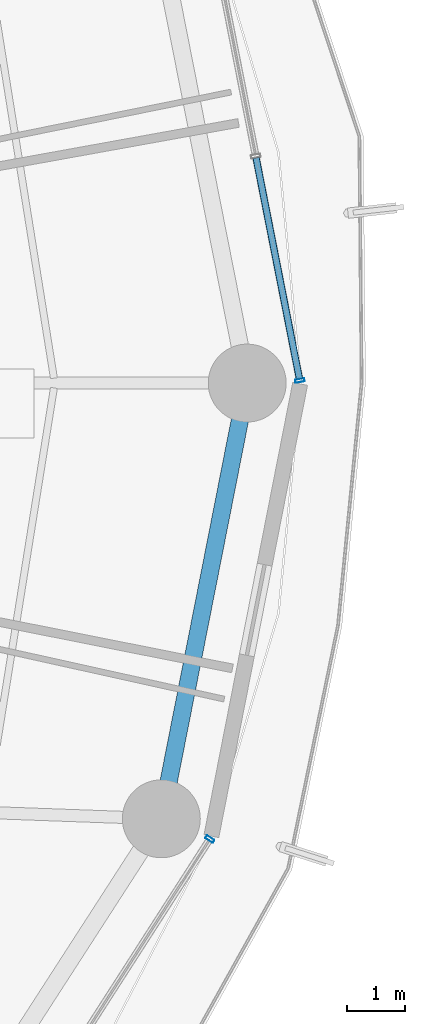
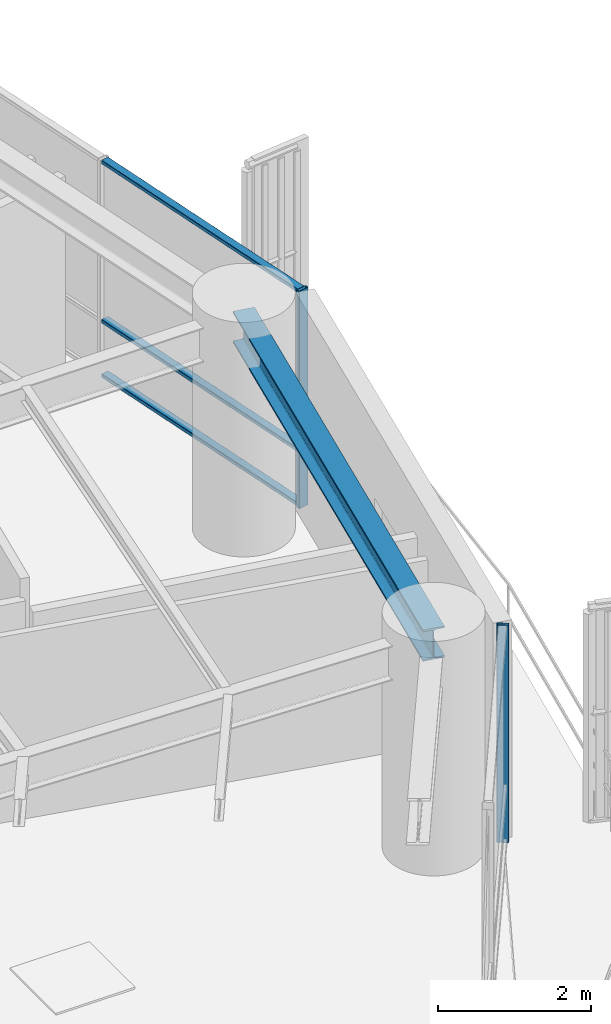
# One storey, part 16 of 35: 5 members, 1 beam, 2 elements without a shape of their own.
"""IFC4 building model written with IfcOpenShell, lengths in metres."""

from ifc_helpers import new_model, si_unit, direction, frame, origin, origin_2d, place, context, subcontext, project, spatial, hollow_rectangle, i_section, extrude, material, layer, layer_set, material_profile, profile_set, type_object, element, aggregate, save


model = new_model("IFC4")

# Units and contexts
model_context = context("Model", 3, precision=1e-05, world=origin(), true_north=direction((0.0, 1.0)))
body_context = subcontext(model_context, "Body", "Model", "MODEL_VIEW")
ifc_project = project(units=[si_unit("LENGTHUNIT", "METRE"), si_unit("AREAUNIT", "SQUARE_METRE"), si_unit("VOLUMEUNIT", "CUBIC_METRE"), si_unit("PLANEANGLEUNIT", "RADIAN"), si_unit("MASSUNIT", "GRAM", prefix="KILO")], contexts=[model_context])

# Site, building, storey
site_placement = place(None, origin())
site = spatial("IfcSite", under=ifc_project, at=site_placement, CompositionType="ELEMENT")
building_placement = place(site_placement, origin())
building = spatial("IfcBuilding", under=site, at=building_placement, Name="Kelanora Arch Commons", CompositionType="ELEMENT")
storey_placement = place(building_placement, frame((0.0, 0.0, 121.35009765625)))
storey = spatial("IfcBuildingStorey", under=building, at=storey_placement, Name="L31", CompositionType="ELEMENT", Elevation=121.35009765625)

# Beam
ifc_material_1 = material(Name="Steel S355", Category="steel")
ifc_material_profile_1 = material_profile(ifc_material_1, i_section(OverallWidth=0.300048828125, OverallDepth=0.5, WebThickness=0.014404296875, FlangeThickness=0.028076171875, FilletRadius=0.027099609375, at=origin_2d()), Name="HEB500")
ifc_profile_set_1 = profile_set([ifc_material_profile_1], Name="Steel S355")
beam_type = type_object("IfcBeamType", Name="BM-SPN-Z2", PredefinedType="SPANDREL", material=ifc_profile_set_1)
beam_placement = place(storey_placement, frame((97.191650390625, 50.4482421875, 3.239990234375), z_axis=(0.19335825777, 0.981128220037, 0.0), x_axis=(-0.981128220037, 0.19335825777, 0.0)))
element("IfcBeam", 1, at=beam_placement, inside=storey, type_object=beam_type, Name="Perimeter Spandrel Beam BS-34 L31", PredefinedType="SPANDREL", context=body_context, shape_type="SweptSolid", body=[
    extrude(i_section(OverallWidth=0.300048828125, OverallDepth=0.5, WebThickness=0.014404296875, FlangeThickness=0.028076171875, FilletRadius=0.027099609375, at=origin_2d()), origin(), (0.0, 0.0, 1.0), 7.697021484375),
])

# Curtain wall, member
ifc_material_2 = material(Name="Terracotta ceramic-fritted low-E glass and aluminium", Category="masonry")
ifc_layer = layer(ifc_material_2, 0.159912109375)
ifc_layer_set = layer_set([ifc_layer], Name="Terracotta ceramic-fritted low-E glass and aluminium")
curtain_wall_type = type_object("IfcCurtainWallType", Name="CW-SYS-01", PredefinedType="NOTDEFINED", material=ifc_layer_set)
curtain_wall_1_placement = place(storey_placement, origin())
curtain_wall_1 = element("IfcCurtainWall", 2, at=curtain_wall_1_placement, inside=storey, type_object=curtain_wall_type, Name="Unitised Curtain Wall L31-B00", PredefinedType="NOTDEFINED")
ifc_material_3 = material(Name="Powder-coated aluminium terracotta", Category="masonry")
ifc_material_profile_2 = material_profile(ifc_material_3, hollow_rectangle(XDim=0.159912109375, YDim=0.06005859375, WallThickness=0.0048828125, InnerFilletRadius=0.0048828125, OuterFilletRadius=0.010009765625, at=origin_2d()), Name="CWM160x60")
ifc_profile_set_2 = profile_set([ifc_material_profile_2], Name="Powder-coated aluminium terracotta")
member_type_1 = type_object("IfcMemberType", Name="CWM-STD", PredefinedType="MULLION", material=ifc_profile_set_2)
member_1_placement = place(storey_placement, frame((99.59130859375, 58.044189453125, 0.0), z_axis=(0.0, 0.0, 1.0), x_axis=(-0.981280311646, -0.192584916272, 0.0)))
member_1 = element("IfcMember", 3, at=member_1_placement, type_object=member_type_1, Name="CW-01 mullion 1", PredefinedType="MULLION", context=body_context, shape_type="SweptSolid", body=[
    extrude(hollow_rectangle(XDim=0.159912109375, YDim=0.06005859375, WallThickness=0.0048828125, InnerFilletRadius=0.0048828125, OuterFilletRadius=0.010009765625, at=origin_2d()), origin(), (0.0, 0.0, 1.0), 3.474853515625),
])

curtain_wall_2_placement = place(storey_placement, origin())
curtain_wall_2 = element("IfcCurtainWall", 4, at=curtain_wall_2_placement, inside=storey, type_object=curtain_wall_type, Name="Unitised Curtain Wall L31-B16", PredefinedType="NOTDEFINED")
member_2_placement = place(storey_placement, frame((98.03173828125, 50.095703125, 0.0), z_axis=(0.0, 0.0, 1.0), x_axis=(-0.841268883088, 0.540616931244, 0.0)))
member_2 = element("IfcMember", 5, at=member_2_placement, type_object=member_type_1, Name="CW-01 mullion 3", PredefinedType="MULLION", context=body_context, shape_type="SweptSolid", body=[
    extrude(hollow_rectangle(XDim=0.159912109375, YDim=0.06005859375, WallThickness=0.0048828125, InnerFilletRadius=0.0048828125, OuterFilletRadius=0.010009765625, at=origin_2d()), origin(), (0.0, 0.0, 1.0), 3.474853515625),
])
aggregate(curtain_wall_2, [member_2])

# Member
ifc_material_profile_3 = material_profile(ifc_material_3, hollow_rectangle(XDim=0.1201171875, YDim=0.06005859375, WallThickness=0.0048828125, InnerFilletRadius=0.0048828125, OuterFilletRadius=0.010009765625, at=origin_2d()), Name="CWT120x60")
ifc_profile_set_3 = profile_set([ifc_material_profile_3], Name="Powder-coated aluminium terracotta")
member_type_2 = type_object("IfcMemberType", Name="CWT-STD", PredefinedType="USERDEFINED", material=ifc_profile_set_3)
member_3_placement = place(storey_placement, frame((99.58544921875, 58.073486328125, 0.02978515625), z_axis=(-0.192578614785, 0.981281548348, 0.0), x_axis=(-0.981281548348, -0.192578614785, 0.0)))
member_3 = element("IfcMember", 6, at=member_3_placement, type_object=member_type_2, Name="CW-01 transom 1.1", ObjectType="TRANSOM", PredefinedType="USERDEFINED", context=body_context, shape_type="SweptSolid", body=[
    extrude(hollow_rectangle(XDim=0.1201171875, YDim=0.06005859375, WallThickness=0.0048828125, InnerFilletRadius=0.0048828125, OuterFilletRadius=0.010009765625, at=origin_2d()), origin(), (0.0, 0.0, 1.0), 3.9033203125),
])

member_4_placement = place(storey_placement, frame((99.58544921875, 58.073486328125, 0.89990234375), z_axis=(-0.192578614785, 0.981281548348, 0.0), x_axis=(-0.981281548348, -0.192578614785, 0.0)))
member_4 = element("IfcMember", 7, at=member_4_placement, type_object=member_type_2, Name="CW-01 transom 1.2", ObjectType="TRANSOM", PredefinedType="USERDEFINED", context=body_context, shape_type="SweptSolid", body=[
    extrude(hollow_rectangle(XDim=0.1201171875, YDim=0.06005859375, WallThickness=0.0048828125, InnerFilletRadius=0.0048828125, OuterFilletRadius=0.010009765625, at=origin_2d()), origin(), (0.0, 0.0, 1.0), 3.9033203125),
])

member_5_placement = place(storey_placement, frame((99.58544921875, 58.073486328125, 3.44482421875), z_axis=(-0.192578614785, 0.981281548348, 0.0), x_axis=(-0.981281548348, -0.192578614785, 0.0)))
member_5 = element("IfcMember", 8, at=member_5_placement, type_object=member_type_2, Name="CW-01 transom 1.3", ObjectType="TRANSOM", PredefinedType="USERDEFINED", context=body_context, shape_type="SweptSolid", body=[
    extrude(hollow_rectangle(XDim=0.1201171875, YDim=0.06005859375, WallThickness=0.0048828125, InnerFilletRadius=0.0048828125, OuterFilletRadius=0.010009765625, at=origin_2d()), origin(), (0.0, 0.0, 1.0), 3.9033203125),
])

aggregate(curtain_wall_1, [member_1, member_3, member_4, member_5])

save(model, "model.ifc")
